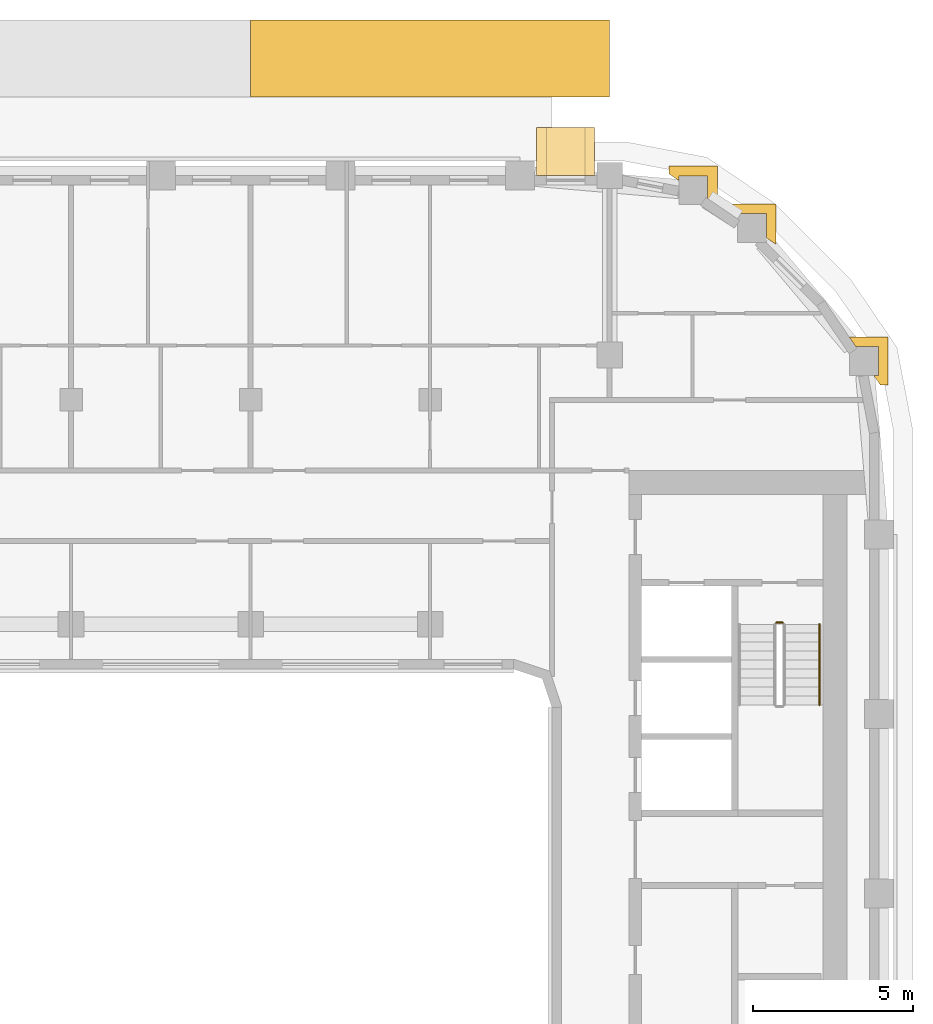
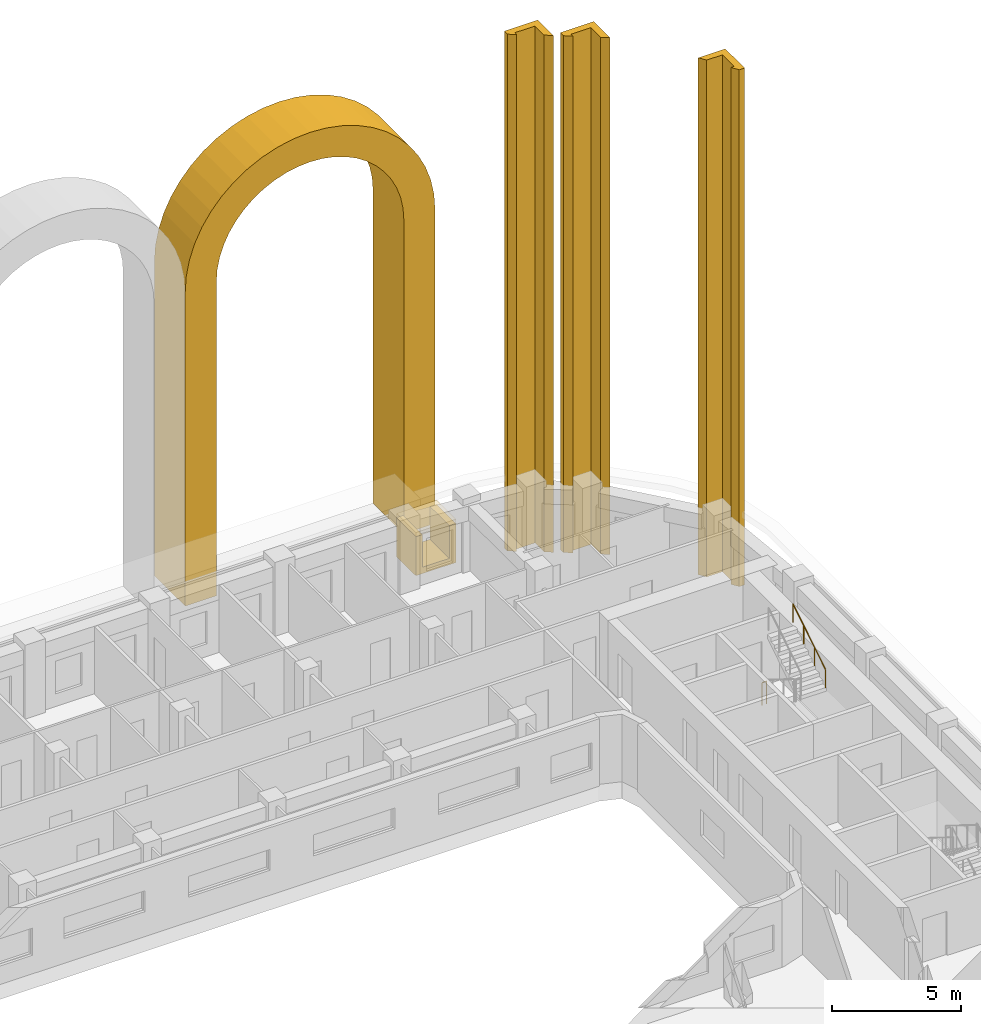
# One storey, part 20 of 20: 6 coverings, 2 railings.
"""IFC4 building model written with IfcOpenShell, lengths in metres."""

import ifcopenshell
import ifcopenshell.guid

model = None  # the IFC model being written
_history = None  # IfcOwnerHistory: only IFC2X3 demands one
_inside = {}  # id of a spatial element -> (the spatial element, [elements in it])
_under = {}  # id of a project, library or spatial element -> (it, [spatial elements below it])
_declared = {}  # id of a project -> (the project, [libraries it declares])
_typed = {}  # id of a type object -> (the type object, [elements of that type])
_made_of = {}  # id of a material, layer set ... -> (it, [elements and type objects made of it])


def new_model(schema):
    """Start an empty IFC model of exactly this schema.

    Asked for "IFC4X3", IfcOpenShell would pick the latest addendum, in which some entities
    have other attributes; the version numbers below select the first issue.
    IFC2X3 requires an IfcOwnerHistory on every rooted entity: one is made here for all.
    """
    global model, _history
    if schema == "IFC4X3":
        model = ifcopenshell.file(schema_version=(4, 3, 0, 0))
    else:
        model = ifcopenshell.file(schema=schema)
    _inside.clear()
    _under.clear()
    _declared.clear()
    _typed.clear()
    _made_of.clear()
    _history = None
    if model.schema == "IFC2X3":
        org = make("IfcOrganization", Name="unknown")
        user = make(
            "IfcPersonAndOrganization",
            ThePerson=make("IfcPerson", FamilyName="unknown"),
            TheOrganization=org,
        )
        app = make(
            "IfcApplication",
            ApplicationDeveloper=org,
            Version="unknown",
            ApplicationFullName="unknown",
            ApplicationIdentifier="unknown",
        )
        _history = make(
            "IfcOwnerHistory",
            OwningUser=user,
            OwningApplication=app,
            ChangeAction="ADDED",
            CreationDate=0,
        )
    return model


def make(cls, **values):
    """One entity of the class cls with the attributes given. An attribute that is None is left unset."""
    return model.create_entity(
        cls, **{name: value for name, value in values.items() if value is not None}
    )


def rooted(cls, **values):
    """An entity with a GlobalId (a new one), such as an element, a storey or a relation."""
    return make(cls, GlobalId=ifcopenshell.guid.new(), OwnerHistory=_history, **values)


def si_unit(unit_type, name, prefix=None):
    """IfcSIUnit, for example si_unit("LENGTHUNIT", "METRE", prefix="MILLI")."""
    return make("IfcSIUnit", UnitType=unit_type, Prefix=prefix, Name=name)


def assignment(units):
    """IfcUnitAssignment: the units of a project."""
    return None if units is None else make("IfcUnitAssignment", Units=units)


def point(xyz):
    """IfcCartesianPoint."""
    return None if xyz is None else make("IfcCartesianPoint", Coordinates=xyz)


def direction(xyz):
    """IfcDirection."""
    return None if xyz is None else make("IfcDirection", DirectionRatios=xyz)


def frame(location, z_axis=None, x_axis=None):
    """IfcAxis2Placement3D, a coordinate frame: its origin and axes. An axis left out is left unset."""
    return make(
        "IfcAxis2Placement3D",
        Location=point(location),
        Axis=direction(z_axis),
        RefDirection=direction(x_axis),
    )


def frame_2d(location, x_axis=None):
    """IfcAxis2Placement2D, a coordinate frame in the plane: its origin and x axis."""
    return make(
        "IfcAxis2Placement2D", Location=point(location), RefDirection=direction(x_axis)
    )


def origin():
    """The frame at (0, 0, 0) with its axes left unset."""
    return frame((0.0, 0.0, 0.0))


def origin_2d():
    """The frame at (0, 0) in the plane with its x axis left unset."""
    return frame_2d((0.0, 0.0))


def place(relative_to, where):
    """IfcLocalPlacement: puts the frame where relative to a parent placement (None: the world)."""
    return make(
        "IfcLocalPlacement", PlacementRelTo=relative_to, RelativePlacement=where
    )


def context(
    kind, dimensions, precision=None, world=None, true_north=None, identifier=None
):
    """IfcGeometricRepresentationContext, for example the 3D "Model" context."""
    return make(
        "IfcGeometricRepresentationContext",
        ContextIdentifier=identifier,
        ContextType=kind,
        CoordinateSpaceDimension=dimensions,
        Precision=precision,
        WorldCoordinateSystem=world,
        TrueNorth=true_north,
    )


def subcontext(parent, identifier, kind, view, scale=None):
    """IfcGeometricRepresentationSubContext, for example "Body" below "Model"."""
    return make(
        "IfcGeometricRepresentationSubContext",
        ContextIdentifier=identifier,
        ContextType=kind,
        ParentContext=parent,
        TargetScale=scale,
        TargetView=view,
    )


def project(units=None, contexts=None):
    """IfcProject with its units and contexts."""
    return rooted(
        "IfcProject",
        Name="project",
        RepresentationContexts=contexts,
        UnitsInContext=assignment(units),
    )


def spatial(cls, under=None, at=None, **own):
    """A site, building, storey or space (cls), placed at a placement, below another one or the project."""
    s = rooted(cls, ObjectPlacement=at, **own)
    if under is not None:
        _under.setdefault(under.id(), (under, []))[1].append(s)
    return s


def polyline(points):
    """IfcPolyline through the points."""
    return make("IfcPolyline", Points=[point(p) for p in points])


def profile(cls, at=None, kind="AREA", **sizes):
    """A parametric profile (cls). Its sizes go by their IFC names, for example OverallWidth=200.0."""
    return make(cls, ProfileType=kind, Position=at, **sizes)


def rectangle(**sizes):
    """IfcRectangleProfileDef."""
    return profile("IfcRectangleProfileDef", **sizes)


def circle(**sizes):
    """IfcCircleProfileDef."""
    return profile("IfcCircleProfileDef", **sizes)


def outline(outer, holes=None, kind="AREA"):
    """IfcArbitraryClosedProfileDef: a profile drawn as a closed curve; with holes, ...WithVoids."""
    if holes is None:
        return make("IfcArbitraryClosedProfileDef", ProfileType=kind, OuterCurve=outer)
    return make(
        "IfcArbitraryProfileDefWithVoids",
        ProfileType=kind,
        OuterCurve=outer,
        InnerCurves=holes,
    )


def extrude(swept, where, along, depth):
    """IfcExtrudedAreaSolid: the profile swept, set in the frame where, extruded along a direction by depth."""
    return make(
        "IfcExtrudedAreaSolid",
        SweptArea=swept,
        Position=where,
        ExtrudedDirection=direction(along),
        Depth=depth,
    )


def shape(context_of_items, identifier, shape_type, items):
    """IfcShapeRepresentation: the items that make up one representation, for example the "Body"."""
    return make(
        "IfcShapeRepresentation",
        ContextOfItems=context_of_items,
        RepresentationIdentifier=identifier,
        RepresentationType=shape_type,
        Items=items,
    )


def material(Name=None, Category=None):
    """IfcMaterial."""
    return make("IfcMaterial", Name=Name, Category=Category)


def layer(
    of_material, thickness, ventilated=None, Name=None, Category=None, Priority=None
):
    """IfcMaterialLayer: one layer of a wall or slab, of a material (None: an air gap)."""
    return make(
        "IfcMaterialLayer",
        Material=of_material,
        LayerThickness=thickness,
        IsVentilated=ventilated,
        Name=Name,
        Category=Category,
        Priority=Priority,
    )


def layer_set(layers, Name=None):
    """IfcMaterialLayerSet."""
    return make("IfcMaterialLayerSet", MaterialLayers=layers, LayerSetName=Name)


def made_of(thing, what):
    """Note that an element or type object is made of a material, layer set ...; save() writes the relation."""
    if what is not None:
        _made_of.setdefault(what.id(), (what, []))[1].append(thing)
    return thing


def type_object(cls, material=None, **own):
    """A type object (cls), such as IfcWallType, which elements share."""
    return made_of(rooted(cls, **own), material)


def element(
    cls,
    number,
    at=None,
    inside=None,
    cuts=None,
    type_object=None,
    material=None,
    context=None,
    identifier="Body",
    shape_type=None,
    held_by="IfcProductDefinitionShape",
    body=None,
    shapes=None,
    **own,
):
    """One element of the class cls, such as IfcWall. Its Tag is "e" and its number.

    at: its placement. inside: the storey or other place that contains it. cuts: it is an
    opening in that element (IfcRelVoidsElement). A single representation is given by context,
    identifier, shape_type and body (its items); several are given by shapes. held_by: the class
    of the entity that holds the representations. save() writes the other relations.
    """
    e = rooted(cls, Tag="e%d" % number, ObjectPlacement=at, **own)
    if body is not None:
        shapes = [shape(context, identifier, shape_type, body)]
    if shapes is not None:
        e.Representation = make(held_by, Representations=shapes)
    if inside is not None:
        _inside.setdefault(inside.id(), (inside, []))[1].append(e)
    if cuts is not None:
        rooted(
            "IfcRelVoidsElement", RelatingBuildingElement=cuts, RelatedOpeningElement=e
        )
    if type_object is not None:
        _typed.setdefault(type_object.id(), (type_object, []))[1].append(e)
    return made_of(e, material)


def aggregate(whole, parts):
    """IfcRelAggregates: a whole, such as a stair, and the parts it consists of."""
    return rooted("IfcRelAggregates", RelatingObject=whole, RelatedObjects=parts)


def save(model, path):
    """Write the relations noted so far, then the file.

    IfcRelAggregates (storeys below a building ...), IfcRelContainedInSpatialStructure (elements
    in a storey), IfcRelDefinesByType, IfcRelAssociatesMaterial and IfcRelDeclares: one each for
    every whole, place, type object, material and project.
    """
    for whole, parts in _under.values():
        aggregate(whole, parts)
    for where, things in _inside.values():
        rooted(
            "IfcRelContainedInSpatialStructure",
            RelatedElements=things,
            RelatingStructure=where,
        )
    for kind, things in _typed.values():
        rooted("IfcRelDefinesByType", RelatedObjects=things, RelatingType=kind)
    for what, things in _made_of.values():
        rooted("IfcRelAssociatesMaterial", RelatedObjects=things, RelatingMaterial=what)
    for by, libraries in _declared.values():
        rooted("IfcRelDeclares", RelatingContext=by, RelatedDefinitions=libraries)
    model.write(path)


model = new_model("IFC4")

# Units and contexts
model_context = context("Model", 3, precision=1e-05, world=origin(), true_north=direction((0.0, 1.0)))
body_context = subcontext(model_context, "Body", "Model", "MODEL_VIEW")
ifc_project = project(units=[si_unit("LENGTHUNIT", "METRE"), si_unit("AREAUNIT", "SQUARE_METRE"), si_unit("VOLUMEUNIT", "CUBIC_METRE"), si_unit("PLANEANGLEUNIT", "RADIAN"), si_unit("MASSUNIT", "GRAM", prefix="KILO")], contexts=[model_context])

# Site, building, storey
site_placement = place(None, origin())
site = spatial("IfcSite", under=ifc_project, at=site_placement, CompositionType="ELEMENT")
building_placement = place(site_placement, origin())
building = spatial("IfcBuilding", under=site, at=building_placement, Name="Kiln Ring Residences", CompositionType="ELEMENT")
storey_placement = place(building_placement, frame((0.0, 0.0, 188.89990234375)))
storey = spatial("IfcBuildingStorey", under=building, at=storey_placement, Name="L48", CompositionType="ELEMENT", Elevation=188.89990234375)

# Covering
ifc_material_1 = material(Name="Brick masonry, dark clay brick", Category="masonry")
ifc_layer_1 = layer(ifc_material_1, 1.39990234375)
ifc_layer_set_1 = layer_set([ifc_layer_1], Name="ARCH SURROUND 2400")
covering_type_1 = type_object("IfcCoveringType", Name="ARCH SURROUND 2400", PredefinedType="CLADDING", material=ifc_layer_set_1)
covering_1_placement = place(storey_placement, frame((5.60009765625, 26.050048828125, 0.5), z_axis=(0.0, 0.0, 1.0), x_axis=(1.0, 0.0, 0.0)))
element("IfcCovering", 1, at=covering_1_placement, inside=storey, type_object=covering_type_1, Name="ARCH SURROUND Z4 N1.3", PredefinedType="CLADDING", context=body_context, shape_type="SweptSolid", body=[
    extrude(outline(polyline([(0.0, 0.0), (0.0, 14.900146484375), (0.0478515625, 15.631103515625), (0.19091796875, 16.349609375), (0.42626953125, 17.043212890625), (0.750244140625, 17.7001953125), (1.1572265625, 18.30908203125), (1.64013671875, 18.85986328125), (2.19091796875, 19.343017578125), (2.800048828125, 19.749755859375), (3.45703125, 20.07373046875), (4.150634765625, 20.309326171875), (4.869140625, 20.4521484375), (5.60009765625, 20.5), (6.330810546875, 20.4521484375), (7.04931640625, 20.309326171875), (7.742919921875, 20.07373046875), (8.39990234375, 19.749755859375), (9.009033203125, 19.343017578125), (9.559814453125, 18.85986328125), (10.042724609375, 18.30908203125), (10.44970703125, 17.7001953125), (10.773681640625, 17.043212890625), (11.00927734375, 16.349609375), (11.152099609375, 15.631103515625), (11.199951171875, 14.900146484375), (11.199951171875, 0.0), (9.800048828125, 0.0), (9.800048828125, 14.900146484375), (9.76416015625, 15.4482421875), (9.656982421875, 15.987060546875), (9.480224609375, 16.50732421875), (9.2373046875, 17.0), (8.93212890625, 17.456787109375), (8.56982421875, 17.869873046875), (8.15673828125, 18.232177734375), (7.699951171875, 18.537353515625), (7.207275390625, 18.780517578125), (6.68701171875, 18.95703125), (6.148193359375, 19.064208984375), (5.60009765625, 19.10009765625), (5.0517578125, 19.064208984375), (4.512939453125, 18.95703125), (3.99267578125, 18.780517578125), (3.5, 18.537353515625), (3.043212890625, 18.232177734375), (2.630126953125, 17.869873046875), (2.267822265625, 17.456787109375), (1.962646484375, 17.0), (1.7197265625, 16.50732421875), (1.543212890625, 15.987060546875), (1.435791015625, 15.4482421875), (1.39990234375, 14.900146484375), (1.39990234375, 0.0), (0.0, 0.0)])), frame((0.0, 1.199951171875, 0.0), z_axis=(0.0, -1.0, 0.0), x_axis=(1.0, 0.0, 0.0)), (0.0, 0.0, 1.0), 2.39990234375),
])

# Railings
ifc_material_2 = material(Name="Stainless steel", Category="steel")
railing_type_1 = type_object("IfcRailingType", Name="CORE-STAIR-GUARD", PredefinedType="GUARDRAIL", material=ifc_material_2)
railing_1_placement = place(storey_placement, frame((22.0, 8.449951171875, 0.0)))
element("IfcRailing", 2, at=railing_1_placement, inside=storey, type_object=railing_type_1, Name="L48 E-STN stair guard 4", PredefinedType="GUARDRAIL", context=body_context, shape_type="SweptSolid", body=[
    extrude(circle(Radius=0.02392578125, at=origin_2d()), frame((0.0, 0.0, 1.076171875), z_axis=(1.0, 0.0, 0.0), x_axis=(0.0, 1.0, 0.0)), (0.0, 0.0, 1.0), 0.199951171875),
    extrude(circle(Radius=0.02099609375, at=origin_2d()), origin(), (0.0, 0.0, 1.0), 1.052001953125),
    extrude(circle(Radius=0.02099609375, at=origin_2d()), frame((0.199951171875, 0.0, 0.0)), (0.0, 0.0, 1.0), 1.052001953125),
])
ifc_material_3 = material(Name="Stainless steel", Category="steel")
railing_type_2 = type_object("IfcRailingType", Name="CORE-STAIR-HANDRAIL", PredefinedType="HANDRAIL", material=ifc_material_3)
railing_2_placement = place(storey_placement, frame((23.35009765625, 5.8798828125, 1.925048828125)))
element("IfcRailing", 3, at=railing_2_placement, inside=storey, type_object=railing_type_2, Name="L48 E-STN stair handrail 2", PredefinedType="HANDRAIL", context=body_context, shape_type="SweptSolid", body=[
    extrude(circle(Radius=0.02392578125, at=origin_2d()), frame((0.0, 0.0, 0.8759765625), z_axis=(0.0, 0.848007534815, 0.529984170421), x_axis=(-1.0, 0.0, 0.0)), (0.0, 0.0, 1.0), 2.9716796875),
    extrude(circle(Radius=0.02099609375, at=origin_2d()), origin(), (0.0, 0.0, 1.0), 0.851806640625),
    extrude(circle(Radius=0.02099609375, at=origin_2d()), frame((0.0, 0.840087890625, 0.52490234375)), (0.0, 0.0, 1.0), 0.851806640625),
    extrude(circle(Radius=0.02099609375, at=origin_2d()), frame((0.0, 1.679931640625, 1.050048828125)), (0.0, 0.0, 1.0), 0.851806640625),
    extrude(circle(Radius=0.02099609375, at=origin_2d()), frame((0.0, 2.52001953125, 1.574951171875)), (0.0, 0.0, 1.0), 0.851806640625),
])

# Coverings
ifc_material_4 = material(Name="Brick masonry, dark clay brick", Category="masonry")
ifc_layer_2 = layer(ifc_material_4, 0.300048828125)
ifc_layer_set_2 = layer_set([ifc_layer_2], Name="FRAME CHEEKS AND SILL 1500")
covering_type_2 = type_object("IfcCoveringType", Name="FRAME CHEEKS AND SILL 1500", PredefinedType="CLADDING", material=ifc_layer_set_2)
covering_2_placement = place(storey_placement, frame((16.324951171875, 23.14990234375, 0.300048828125), z_axis=(0.0, 0.0, 1.0), x_axis=(-1.0, 0.0, 0.0)))
element("IfcCovering", 4, at=covering_2_placement, inside=storey, type_object=covering_type_2, Name="FRAME L48", PredefinedType="CLADDING", context=body_context, shape_type="SweptSolid", body=[
    extrude(outline(polyline([(0.0, 0.0), (1.800048828125, 0.0), (1.800048828125, 1.85009765625), (1.5009765625, 1.85009765625), (1.5, 0.300048828125), (0.300048828125, 0.300048828125), (0.299072265625, 1.85009765625), (0.0, 1.85009765625), (0.0, 0.0)])), frame((0.0, 0.75, 0.0), z_axis=(0.0, -1.0, 0.0), x_axis=(1.0, 0.0, 0.0)), (0.0, 0.0, 1.0), 1.5),
])
ifc_material_5 = material(Name="Brick masonry, dark clay brick", Category="masonry")
ifc_layer_3 = layer(ifc_material_5, 0.199951171875)
ifc_layer_set_3 = layer_set([ifc_layer_3], Name="FRAME HEAD 1500")
covering_type_3 = type_object("IfcCoveringType", Name="FRAME HEAD 1500", PredefinedType="CLADDING", material=ifc_layer_set_3)
covering_3_placement = place(storey_placement, frame((15.425048828125, 23.14990234375, 2.14990234375), z_axis=(0.0, 0.0, 1.0), x_axis=(-1.0, 0.0, 0.0)))
element("IfcCovering", 5, at=covering_3_placement, inside=storey, type_object=covering_type_3, Name="FRAME HEAD L48", PredefinedType="CLADDING", context=body_context, shape_type="SweptSolid", body=[
    extrude(rectangle(XDim=1.800048828125, YDim=1.5, at=origin_2d()), origin(), (0.0, 0.0, 1.0), 0.199951171875),
])
ifc_material_6 = material(Name="Brick masonry, dark clay brick", Category="masonry")
ifc_layer_4 = layer(ifc_material_6, 0.300048828125)
ifc_layer_set_4 = layer_set([ifc_layer_4], Name="PIER CLADDING 300")
covering_type_4 = type_object("IfcCoveringType", Name="PIER CLADDING 300", PredefinedType="CLADDING", material=ifc_layer_set_4)
placement = place(storey_placement, origin())
element("IfcCovering", 6, at=placement, inside=storey, type_object=covering_type_4, Name="PIER CLADDING L48-L54", PredefinedType="CLADDING", context=body_context, shape_type="SweptSolid", body=[
    extrude(outline(polyline([(25.488037109375, 15.858642578125), (25.488037109375, 17.358642578125), (24.276611328125, 17.358642578125), (24.48046875, 17.05859375), (25.18798828125, 17.05859375), (25.18798828125, 16.15869140625), (25.0439453125, 16.15869140625), (25.247802734375, 15.858642578125), (25.488037109375, 15.858642578125)])), origin(), (0.0, 0.0, 1.0), 24.5),
])
element("IfcCovering", 7, at=placement, inside=storey, type_object=covering_type_4, Name="PIER CLADDING L48-L54", PredefinedType="CLADDING", context=body_context, shape_type="SweptSolid", body=[
    extrude(outline(polyline([(21.990234375, 21.509765625), (20.490234375, 21.509765625), (20.490234375, 21.26953125), (20.790283203125, 21.065673828125), (20.790283203125, 21.209716796875), (21.690185546875, 21.209716796875), (21.690185546875, 20.4541015625), (21.990234375, 20.25), (21.990234375, 21.509765625)])), origin(), (0.0, 0.0, 1.0), 24.5),
])
element("IfcCovering", 8, at=placement, inside=storey, type_object=covering_type_4, Name="PIER CLADDING L48-L54", PredefinedType="CLADDING", context=body_context, shape_type="SweptSolid", body=[
    extrude(outline(polyline([(20.15869140625, 22.68798828125), (18.65869140625, 22.68798828125), (18.65869140625, 22.44775390625), (18.958740234375, 22.243896484375), (18.958740234375, 22.38818359375), (19.858642578125, 22.38818359375), (19.858642578125, 21.680419921875), (20.15869140625, 21.4765625), (20.15869140625, 22.68798828125)])), origin(), (0.0, 0.0, 1.0), 24.5),
])

save(model, "model.ifc")
